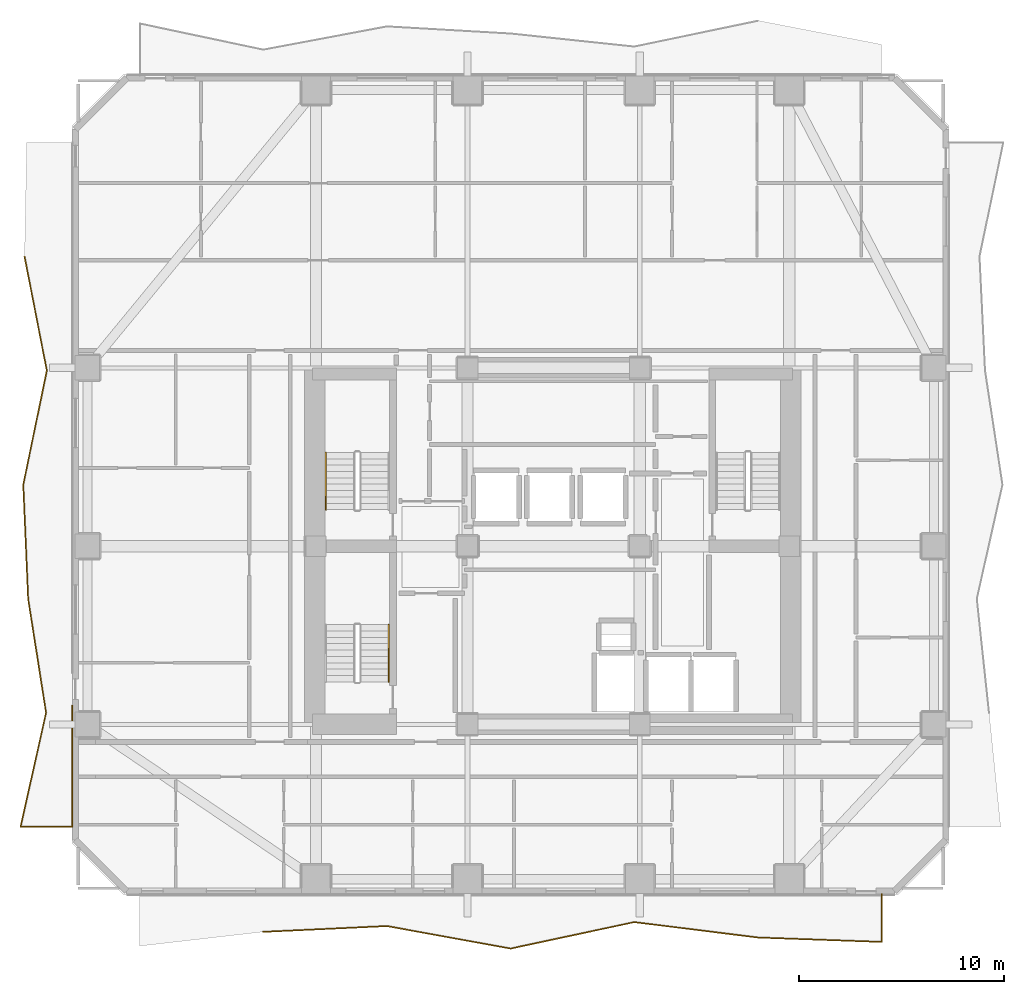
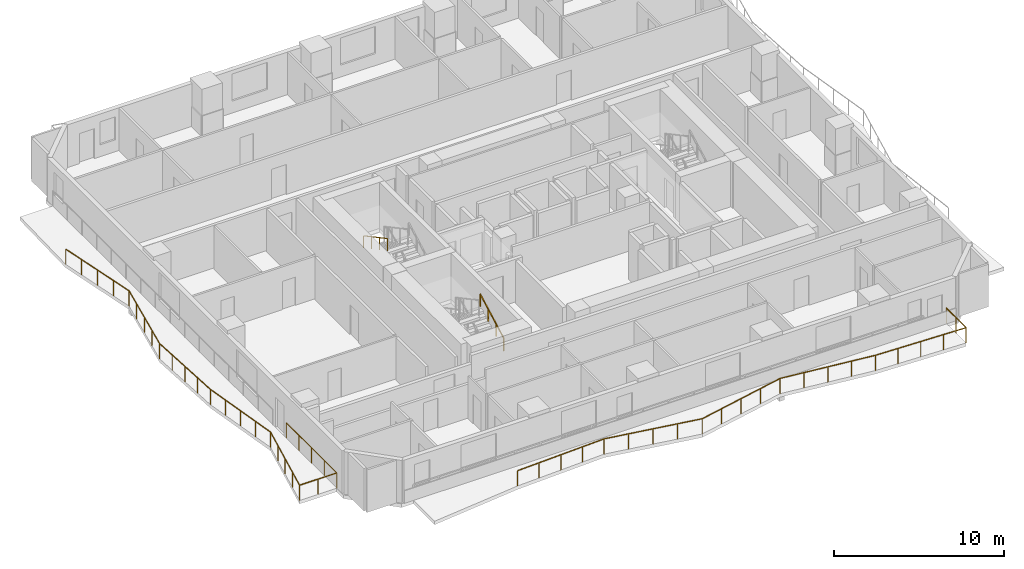
# One storey, part 9 of 12: 4 railings.
"""IFC4 building model written with IfcOpenShell, lengths in metres."""

import ifcopenshell
import ifcopenshell.guid

model = None  # the IFC model being written
_history = None  # IfcOwnerHistory: only IFC2X3 demands one
_inside = {}  # id of a spatial element -> (the spatial element, [elements in it])
_under = {}  # id of a project, library or spatial element -> (it, [spatial elements below it])
_declared = {}  # id of a project -> (the project, [libraries it declares])
_typed = {}  # id of a type object -> (the type object, [elements of that type])
_made_of = {}  # id of a material, layer set ... -> (it, [elements and type objects made of it])


def new_model(schema):
    """Start an empty IFC model of exactly this schema.

    Asked for "IFC4X3", IfcOpenShell would pick the latest addendum, in which some entities
    have other attributes; the version numbers below select the first issue.
    IFC2X3 requires an IfcOwnerHistory on every rooted entity: one is made here for all.
    """
    global model, _history
    if schema == "IFC4X3":
        model = ifcopenshell.file(schema_version=(4, 3, 0, 0))
    else:
        model = ifcopenshell.file(schema=schema)
    _inside.clear()
    _under.clear()
    _declared.clear()
    _typed.clear()
    _made_of.clear()
    _history = None
    if model.schema == "IFC2X3":
        org = make("IfcOrganization", Name="unknown")
        user = make(
            "IfcPersonAndOrganization",
            ThePerson=make("IfcPerson", FamilyName="unknown"),
            TheOrganization=org,
        )
        app = make(
            "IfcApplication",
            ApplicationDeveloper=org,
            Version="unknown",
            ApplicationFullName="unknown",
            ApplicationIdentifier="unknown",
        )
        _history = make(
            "IfcOwnerHistory",
            OwningUser=user,
            OwningApplication=app,
            ChangeAction="ADDED",
            CreationDate=0,
        )
    return model


def make(cls, **values):
    """One entity of the class cls with the attributes given. An attribute that is None is left unset."""
    return model.create_entity(
        cls, **{name: value for name, value in values.items() if value is not None}
    )


def rooted(cls, **values):
    """An entity with a GlobalId (a new one), such as an element, a storey or a relation."""
    return make(cls, GlobalId=ifcopenshell.guid.new(), OwnerHistory=_history, **values)


def si_unit(unit_type, name, prefix=None):
    """IfcSIUnit, for example si_unit("LENGTHUNIT", "METRE", prefix="MILLI")."""
    return make("IfcSIUnit", UnitType=unit_type, Prefix=prefix, Name=name)


def assignment(units):
    """IfcUnitAssignment: the units of a project."""
    return None if units is None else make("IfcUnitAssignment", Units=units)


def point(xyz):
    """IfcCartesianPoint."""
    return None if xyz is None else make("IfcCartesianPoint", Coordinates=xyz)


def direction(xyz):
    """IfcDirection."""
    return None if xyz is None else make("IfcDirection", DirectionRatios=xyz)


def frame(location, z_axis=None, x_axis=None):
    """IfcAxis2Placement3D, a coordinate frame: its origin and axes. An axis left out is left unset."""
    return make(
        "IfcAxis2Placement3D",
        Location=point(location),
        Axis=direction(z_axis),
        RefDirection=direction(x_axis),
    )


def frame_2d(location, x_axis=None):
    """IfcAxis2Placement2D, a coordinate frame in the plane: its origin and x axis."""
    return make(
        "IfcAxis2Placement2D", Location=point(location), RefDirection=direction(x_axis)
    )


def origin():
    """The frame at (0, 0, 0) with its axes left unset."""
    return frame((0.0, 0.0, 0.0))


def origin_2d():
    """The frame at (0, 0) in the plane with its x axis left unset."""
    return frame_2d((0.0, 0.0))


def place(relative_to, where):
    """IfcLocalPlacement: puts the frame where relative to a parent placement (None: the world)."""
    return make(
        "IfcLocalPlacement", PlacementRelTo=relative_to, RelativePlacement=where
    )


def context(
    kind, dimensions, precision=None, world=None, true_north=None, identifier=None
):
    """IfcGeometricRepresentationContext, for example the 3D "Model" context."""
    return make(
        "IfcGeometricRepresentationContext",
        ContextIdentifier=identifier,
        ContextType=kind,
        CoordinateSpaceDimension=dimensions,
        Precision=precision,
        WorldCoordinateSystem=world,
        TrueNorth=true_north,
    )


def subcontext(parent, identifier, kind, view, scale=None):
    """IfcGeometricRepresentationSubContext, for example "Body" below "Model"."""
    return make(
        "IfcGeometricRepresentationSubContext",
        ContextIdentifier=identifier,
        ContextType=kind,
        ParentContext=parent,
        TargetScale=scale,
        TargetView=view,
    )


def project(units=None, contexts=None):
    """IfcProject with its units and contexts."""
    return rooted(
        "IfcProject",
        Name="project",
        RepresentationContexts=contexts,
        UnitsInContext=assignment(units),
    )


def spatial(cls, under=None, at=None, **own):
    """A site, building, storey or space (cls), placed at a placement, below another one or the project."""
    s = rooted(cls, ObjectPlacement=at, **own)
    if under is not None:
        _under.setdefault(under.id(), (under, []))[1].append(s)
    return s


def profile(cls, at=None, kind="AREA", **sizes):
    """A parametric profile (cls). Its sizes go by their IFC names, for example OverallWidth=200.0."""
    return make(cls, ProfileType=kind, Position=at, **sizes)


def rectangle(**sizes):
    """IfcRectangleProfileDef."""
    return profile("IfcRectangleProfileDef", **sizes)


def extrude(swept, where, along, depth):
    """IfcExtrudedAreaSolid: the profile swept, set in the frame where, extruded along a direction by depth."""
    return make(
        "IfcExtrudedAreaSolid",
        SweptArea=swept,
        Position=where,
        ExtrudedDirection=direction(along),
        Depth=depth,
    )


def shape(context_of_items, identifier, shape_type, items):
    """IfcShapeRepresentation: the items that make up one representation, for example the "Body"."""
    return make(
        "IfcShapeRepresentation",
        ContextOfItems=context_of_items,
        RepresentationIdentifier=identifier,
        RepresentationType=shape_type,
        Items=items,
    )


def material(Name=None, Category=None):
    """IfcMaterial."""
    return make("IfcMaterial", Name=Name, Category=Category)


def made_of(thing, what):
    """Note that an element or type object is made of a material, layer set ...; save() writes the relation."""
    if what is not None:
        _made_of.setdefault(what.id(), (what, []))[1].append(thing)
    return thing


def type_object(cls, material=None, **own):
    """A type object (cls), such as IfcWallType, which elements share."""
    return made_of(rooted(cls, **own), material)


def element(
    cls,
    number,
    at=None,
    inside=None,
    cuts=None,
    type_object=None,
    material=None,
    context=None,
    identifier="Body",
    shape_type=None,
    held_by="IfcProductDefinitionShape",
    body=None,
    shapes=None,
    **own,
):
    """One element of the class cls, such as IfcWall. Its Tag is "e" and its number.

    at: its placement. inside: the storey or other place that contains it. cuts: it is an
    opening in that element (IfcRelVoidsElement). A single representation is given by context,
    identifier, shape_type and body (its items); several are given by shapes. held_by: the class
    of the entity that holds the representations. save() writes the other relations.
    """
    e = rooted(cls, Tag="e%d" % number, ObjectPlacement=at, **own)
    if body is not None:
        shapes = [shape(context, identifier, shape_type, body)]
    if shapes is not None:
        e.Representation = make(held_by, Representations=shapes)
    if inside is not None:
        _inside.setdefault(inside.id(), (inside, []))[1].append(e)
    if cuts is not None:
        rooted(
            "IfcRelVoidsElement", RelatingBuildingElement=cuts, RelatedOpeningElement=e
        )
    if type_object is not None:
        _typed.setdefault(type_object.id(), (type_object, []))[1].append(e)
    return made_of(e, material)


def aggregate(whole, parts):
    """IfcRelAggregates: a whole, such as a stair, and the parts it consists of."""
    return rooted("IfcRelAggregates", RelatingObject=whole, RelatedObjects=parts)


def save(model, path):
    """Write the relations noted so far, then the file.

    IfcRelAggregates (storeys below a building ...), IfcRelContainedInSpatialStructure (elements
    in a storey), IfcRelDefinesByType, IfcRelAssociatesMaterial and IfcRelDeclares: one each for
    every whole, place, type object, material and project.
    """
    for whole, parts in _under.values():
        aggregate(whole, parts)
    for where, things in _inside.values():
        rooted(
            "IfcRelContainedInSpatialStructure",
            RelatedElements=things,
            RelatingStructure=where,
        )
    for kind, things in _typed.values():
        rooted("IfcRelDefinesByType", RelatedObjects=things, RelatingType=kind)
    for what, things in _made_of.values():
        rooted("IfcRelAssociatesMaterial", RelatedObjects=things, RelatingMaterial=what)
    for by, libraries in _declared.values():
        rooted("IfcRelDeclares", RelatingContext=by, RelatedDefinitions=libraries)
    model.write(path)


model = new_model("IFC4")

# Units and contexts
model_context = context("Model", 3, precision=1e-05, world=origin(), true_north=direction((0.0, 1.0)))
body_context = subcontext(model_context, "Body", "Model", "MODEL_VIEW")
ifc_project = project(units=[si_unit("LENGTHUNIT", "METRE"), si_unit("AREAUNIT", "SQUARE_METRE"), si_unit("VOLUMEUNIT", "CUBIC_METRE"), si_unit("PLANEANGLEUNIT", "RADIAN"), si_unit("MASSUNIT", "GRAM", prefix="KILO")], contexts=[model_context])

# Site, building, storey
site_placement = place(None, origin())
site = spatial("IfcSite", under=ifc_project, at=site_placement, CompositionType="ELEMENT")
building_placement = place(site_placement, origin())
building = spatial("IfcBuilding", under=site, at=building_placement, Name="Solanera Arch Residences", CompositionType="ELEMENT")
storey_placement = place(building_placement, frame((0.0, 0.0, 96.1201171875)))
storey = spatial("IfcBuildingStorey", under=building, at=storey_placement, Name="L27", CompositionType="ELEMENT", Elevation=96.1201171875)

# Railings
ifc_material_1 = material(Name="Steel S355 (ASTM A992 / A572 Grade 50)", Category="steel")
railing_type_1 = type_object("IfcRailingType", Name="Balustrade Railing BL-1100", PredefinedType="BALUSTRADE", material=ifc_material_1)
railing_1_placement = place(storey_placement, frame((10.8330078125, 11.8798828125, 0.0)))
element("IfcRailing", 1, at=railing_1_placement, inside=storey, type_object=railing_type_1, Name="L27 S Balcony Balustrade 1", PredefinedType="BALUSTRADE", context=body_context, shape_type="SweptSolid", body=[
    extrude(rectangle(XDim=0.048095703125, YDim=0.048095703125, at=origin_2d()), frame((0.0, 0.0, 1.09619140625), z_axis=(0.998907924747, 0.046722134777, 0.0), x_axis=(-0.046722134777, 0.998907924747, 0.0)), (0.0, 0.0, 1.0), 6.04052734375),
    extrude(rectangle(XDim=0.048095703125, YDim=0.048095703125, at=origin_2d()), frame((6.033935546875, 0.2822265625, 1.09619140625), z_axis=(0.983834217539, -0.179081636133, 0.0), x_axis=(0.179081636133, 0.983834217539, 0.0)), (0.0, 0.0, 1.0), 6.132080078125),
    extrude(rectangle(XDim=0.048095703125, YDim=0.048095703125, at=origin_2d()), frame((12.06689453125, -0.81591796875, 1.09619140625), z_axis=(0.977862597837, 0.209248034047, 0.0), x_axis=(-0.209248034047, 0.977862597837, 0.0)), (0.0, 0.0, 1.0), 6.169677734375),
    extrude(rectangle(XDim=0.048095703125, YDim=0.048095703125, at=origin_2d()), frame((18.10009765625, 0.47509765625, 1.09619140625), z_axis=(0.99232413521, -0.123664104246, 0.0), x_axis=(0.123664104246, 0.99232413521, 0.0)), (0.0, 0.0, 1.0), 6.08056640625),
    extrude(rectangle(XDim=0.048095703125, YDim=0.048095703125, at=origin_2d()), frame((24.134033203125, -0.27685546875, 1.09619140625), z_axis=(0.999370814766, -0.03546793754, 0.0), x_axis=(0.03546793754, 0.999370814766, 0.0)), (0.0, 0.0, 1.0), 6.036865234375),
    extrude(rectangle(XDim=0.048095703125, YDim=0.048095703125, at=origin_2d()), frame((30.1669921875, -0.490966796875, 1.09619140625), z_axis=(0.0, 1.0, 0.0), x_axis=(-1.0, 0.0, 0.0)), (0.0, 0.0, 1.0), 2.3310546875),
    extrude(rectangle(XDim=0.0419921875, YDim=0.0419921875, at=origin_2d()), origin(), (0.0, 0.0, 1.0), 1.072021484375),
    extrude(rectangle(XDim=0.0419921875, YDim=0.0419921875, at=origin_2d()), frame((1.508544921875, 0.070556640625, 0.0)), (0.0, 0.0, 1.0), 1.072021484375),
    extrude(rectangle(XDim=0.0419921875, YDim=0.0419921875, at=origin_2d()), frame((3.01708984375, 0.14111328125, 0.0)), (0.0, 0.0, 1.0), 1.072021484375),
    extrude(rectangle(XDim=0.0419921875, YDim=0.0419921875, at=origin_2d()), frame((4.525390625, 0.211669921875, 0.0)), (0.0, 0.0, 1.0), 1.072021484375),
    extrude(rectangle(XDim=0.0419921875, YDim=0.0419921875, at=origin_2d()), frame((6.033935546875, 0.2822265625, 0.0)), (0.0, 0.0, 1.0), 1.072021484375),
    extrude(rectangle(XDim=0.0419921875, YDim=0.0419921875, at=origin_2d()), frame((7.542236328125, 0.0078125, 0.0)), (0.0, 0.0, 1.0), 1.072021484375),
    extrude(rectangle(XDim=0.0419921875, YDim=0.0419921875, at=origin_2d()), frame((9.05029296875, -0.266845703125, 0.0)), (0.0, 0.0, 1.0), 1.072021484375),
    extrude(rectangle(XDim=0.0419921875, YDim=0.0419921875, at=origin_2d()), frame((10.55859375, -0.54150390625, 0.0)), (0.0, 0.0, 1.0), 1.072021484375),
    extrude(rectangle(XDim=0.0419921875, YDim=0.0419921875, at=origin_2d()), frame((12.06689453125, -0.81591796875, 0.0)), (0.0, 0.0, 1.0), 1.072021484375),
    extrude(rectangle(XDim=0.0419921875, YDim=0.0419921875, at=origin_2d()), frame((13.5751953125, -0.4931640625, 0.0)), (0.0, 0.0, 1.0), 1.072021484375),
    extrude(rectangle(XDim=0.0419921875, YDim=0.0419921875, at=origin_2d()), frame((15.08349609375, -0.17041015625, 0.0)), (0.0, 0.0, 1.0), 1.072021484375),
    extrude(rectangle(XDim=0.0419921875, YDim=0.0419921875, at=origin_2d()), frame((16.591796875, 0.15234375, 0.0)), (0.0, 0.0, 1.0), 1.072021484375),
    extrude(rectangle(XDim=0.0419921875, YDim=0.0419921875, at=origin_2d()), frame((18.10009765625, 0.47509765625, 0.0)), (0.0, 0.0, 1.0), 1.072021484375),
    extrude(rectangle(XDim=0.0419921875, YDim=0.0419921875, at=origin_2d()), frame((19.608642578125, 0.287109375, 0.0)), (0.0, 0.0, 1.0), 1.072021484375),
    extrude(rectangle(XDim=0.0419921875, YDim=0.0419921875, at=origin_2d()), frame((21.1171875, 0.09912109375, 0.0)), (0.0, 0.0, 1.0), 1.072021484375),
    extrude(rectangle(XDim=0.0419921875, YDim=0.0419921875, at=origin_2d()), frame((22.62548828125, -0.0888671875, 0.0)), (0.0, 0.0, 1.0), 1.072021484375),
    extrude(rectangle(XDim=0.0419921875, YDim=0.0419921875, at=origin_2d()), frame((24.134033203125, -0.27685546875, 0.0)), (0.0, 0.0, 1.0), 1.072021484375),
    extrude(rectangle(XDim=0.0419921875, YDim=0.0419921875, at=origin_2d()), frame((25.642333984375, -0.330322265625, 0.0)), (0.0, 0.0, 1.0), 1.072021484375),
    extrude(rectangle(XDim=0.0419921875, YDim=0.0419921875, at=origin_2d()), frame((27.150390625, -0.3837890625, 0.0)), (0.0, 0.0, 1.0), 1.072021484375),
    extrude(rectangle(XDim=0.0419921875, YDim=0.0419921875, at=origin_2d()), frame((28.65869140625, -0.4375, 0.0)), (0.0, 0.0, 1.0), 1.072021484375),
    extrude(rectangle(XDim=0.0419921875, YDim=0.0419921875, at=origin_2d()), frame((30.1669921875, -0.490966796875, 0.0)), (0.0, 0.0, 1.0), 1.072021484375),
    extrude(rectangle(XDim=0.0419921875, YDim=0.0419921875, at=origin_2d()), frame((30.1669921875, 0.674560546875, 0.0)), (0.0, 0.0, 1.0), 1.072021484375),
    extrude(rectangle(XDim=0.0419921875, YDim=0.0419921875, at=origin_2d()), frame((30.1669921875, 1.840087890625, 0.0)), (0.0, 0.0, 1.0), 1.072021484375),
])
railing_2_placement = place(storey_placement, frame((-0.819091796875, 44.8330078125, 0.0)))
element("IfcRailing", 2, at=railing_2_placement, inside=storey, type_object=railing_type_1, Name="L27 W Balcony Balustrade 1", PredefinedType="BALUSTRADE", context=body_context, shape_type="SweptSolid", body=[
    extrude(rectangle(XDim=0.048095703125, YDim=0.048095703125, at=origin_2d()), frame((0.0, 0.0, 1.09619140625), z_axis=(0.191867390688, -0.981420859973, 0.0), x_axis=(0.981420859973, 0.191867390688, 0.0)), (0.0, 0.0, 1.0), 5.67138671875),
    extrude(rectangle(XDim=0.048095703125, YDim=0.048095703125, at=origin_2d()), frame((1.088134765625, -5.56591796875, 1.09619140625), z_axis=(-0.202117030155, -0.979361376674, 0.0), x_axis=(0.979361376674, -0.202117030155, 0.0)), (0.0, 0.0, 1.0), 5.6845703125),
    extrude(rectangle(XDim=0.048095703125, YDim=0.048095703125, at=origin_2d()), frame((-0.060791015625, -11.133056640625, 1.09619140625), z_axis=(0.042676634727, -0.999088937407, 0.0), x_axis=(0.999088937407, 0.042676634727, 0.0)), (0.0, 0.0, 1.0), 5.572021484375),
    extrude(rectangle(XDim=0.048095703125, YDim=0.048095703125, at=origin_2d()), frame((0.177001953125, -16.699951171875, 1.09619140625), z_axis=(0.155123659633, -0.987895060329, 0.0), x_axis=(0.987895060329, 0.155123659633, 0.0)), (0.0, 0.0, 1.0), 5.63427734375),
    extrude(rectangle(XDim=0.048095703125, YDim=0.048095703125, at=origin_2d()), frame((1.051025390625, -22.26611328125, 1.09619140625), z_axis=(-0.218393876643, -0.97586070453, 0.0), x_axis=(0.97586070453, -0.218393876643, 0.0)), (0.0, 0.0, 1.0), 5.70458984375),
    extrude(rectangle(XDim=0.048095703125, YDim=0.048095703125, at=origin_2d()), frame((-0.19482421875, -27.8330078125, 1.09619140625), z_axis=(1.0, 0.0, 0.0), x_axis=(0.0, 1.0, 0.0)), (0.0, 0.0, 1.0), 2.533935546875),
    extrude(rectangle(XDim=0.048095703125, YDim=0.048095703125, at=origin_2d()), frame((2.339111328125, -27.8330078125, 1.09619140625), z_axis=(0.0, 1.0, 0.0), x_axis=(-1.0, 0.0, 0.0)), (0.0, 0.0, 1.0), 5.9189453125),
    extrude(rectangle(XDim=0.0419921875, YDim=0.0419921875, at=origin_2d()), origin(), (0.0, 0.0, 1.0), 1.072021484375),
    extrude(rectangle(XDim=0.0419921875, YDim=0.0419921875, at=origin_2d()), frame((0.27197265625, -1.3916015625, 0.0)), (0.0, 0.0, 1.0), 1.072021484375),
    extrude(rectangle(XDim=0.0419921875, YDim=0.0419921875, at=origin_2d()), frame((0.5439453125, -2.782958984375, 0.0)), (0.0, 0.0, 1.0), 1.072021484375),
    extrude(rectangle(XDim=0.0419921875, YDim=0.0419921875, at=origin_2d()), frame((0.816162109375, -4.17431640625, 0.0)), (0.0, 0.0, 1.0), 1.072021484375),
    extrude(rectangle(XDim=0.0419921875, YDim=0.0419921875, at=origin_2d()), frame((1.088134765625, -5.56591796875, 0.0)), (0.0, 0.0, 1.0), 1.072021484375),
    extrude(rectangle(XDim=0.0419921875, YDim=0.0419921875, at=origin_2d()), frame((0.80078125, -6.957763671875, 0.0)), (0.0, 0.0, 1.0), 1.072021484375),
    extrude(rectangle(XDim=0.0419921875, YDim=0.0419921875, at=origin_2d()), frame((0.513671875, -8.349609375, 0.0)), (0.0, 0.0, 1.0), 1.072021484375),
    extrude(rectangle(XDim=0.0419921875, YDim=0.0419921875, at=origin_2d()), frame((0.2265625, -9.7412109375, 0.0)), (0.0, 0.0, 1.0), 1.072021484375),
    extrude(rectangle(XDim=0.0419921875, YDim=0.0419921875, at=origin_2d()), frame((-0.060791015625, -11.133056640625, 0.0)), (0.0, 0.0, 1.0), 1.072021484375),
    extrude(rectangle(XDim=0.0419921875, YDim=0.0419921875, at=origin_2d()), frame((-0.00146484375, -12.52490234375, 0.0)), (0.0, 0.0, 1.0), 1.072021484375),
    extrude(rectangle(XDim=0.0419921875, YDim=0.0419921875, at=origin_2d()), frame((0.05810546875, -13.91650390625, 0.0)), (0.0, 0.0, 1.0), 1.072021484375),
    extrude(rectangle(XDim=0.0419921875, YDim=0.0419921875, at=origin_2d()), frame((0.11767578125, -15.30810546875, 0.0)), (0.0, 0.0, 1.0), 1.072021484375),
    extrude(rectangle(XDim=0.0419921875, YDim=0.0419921875, at=origin_2d()), frame((0.177001953125, -16.699951171875, 0.0)), (0.0, 0.0, 1.0), 1.072021484375),
    extrude(rectangle(XDim=0.0419921875, YDim=0.0419921875, at=origin_2d()), frame((0.3955078125, -18.091552734375, 0.0)), (0.0, 0.0, 1.0), 1.072021484375),
    extrude(rectangle(XDim=0.0419921875, YDim=0.0419921875, at=origin_2d()), frame((0.614013671875, -19.48291015625, 0.0)), (0.0, 0.0, 1.0), 1.072021484375),
    extrude(rectangle(XDim=0.0419921875, YDim=0.0419921875, at=origin_2d()), frame((0.83251953125, -20.87451171875, 0.0)), (0.0, 0.0, 1.0), 1.072021484375),
    extrude(rectangle(XDim=0.0419921875, YDim=0.0419921875, at=origin_2d()), frame((1.051025390625, -22.26611328125, 0.0)), (0.0, 0.0, 1.0), 1.072021484375),
    extrude(rectangle(XDim=0.0419921875, YDim=0.0419921875, at=origin_2d()), frame((0.739501953125, -23.65771484375, 0.0)), (0.0, 0.0, 1.0), 1.072021484375),
    extrude(rectangle(XDim=0.0419921875, YDim=0.0419921875, at=origin_2d()), frame((0.42822265625, -25.049560546875, 0.0)), (0.0, 0.0, 1.0), 1.072021484375),
    extrude(rectangle(XDim=0.0419921875, YDim=0.0419921875, at=origin_2d()), frame((0.11669921875, -26.44140625, 0.0)), (0.0, 0.0, 1.0), 1.072021484375),
    extrude(rectangle(XDim=0.0419921875, YDim=0.0419921875, at=origin_2d()), frame((-0.19482421875, -27.8330078125, 0.0)), (0.0, 0.0, 1.0), 1.072021484375),
    extrude(rectangle(XDim=0.0419921875, YDim=0.0419921875, at=origin_2d()), frame((1.072265625, -27.8330078125, 0.0)), (0.0, 0.0, 1.0), 1.072021484375),
    extrude(rectangle(XDim=0.0419921875, YDim=0.0419921875, at=origin_2d()), frame((2.339111328125, -27.8330078125, 0.0)), (0.0, 0.0, 1.0), 1.072021484375),
    extrude(rectangle(XDim=0.0419921875, YDim=0.0419921875, at=origin_2d()), frame((2.339111328125, -26.353271484375, 0.0)), (0.0, 0.0, 1.0), 1.072021484375),
    extrude(rectangle(XDim=0.0419921875, YDim=0.0419921875, at=origin_2d()), frame((2.339111328125, -24.87353515625, 0.0)), (0.0, 0.0, 1.0), 1.072021484375),
    extrude(rectangle(XDim=0.0419921875, YDim=0.0419921875, at=origin_2d()), frame((2.339111328125, -23.393798828125, 0.0)), (0.0, 0.0, 1.0), 1.072021484375),
    extrude(rectangle(XDim=0.0419921875, YDim=0.0419921875, at=origin_2d()), frame((2.339111328125, -21.9140625, 0.0)), (0.0, 0.0, 1.0), 1.072021484375),
])
ifc_material_2 = material(Name="Steel S355 (ASTM A992 / A572 Grade 50)", Category="steel")
railing_type_2 = type_object("IfcRailingType", Name="Stair Wall Handrail HR-920", PredefinedType="HANDRAIL", material=ifc_material_2)
railing_3_placement = place(storey_placement, frame((13.889892578125, 35.27001953125, 1.825927734375)))
element("IfcRailing", 3, at=railing_3_placement, inside=storey, type_object=railing_type_2, Name="L27 ST-T1 stair handrail 2", PredefinedType="HANDRAIL", context=body_context, shape_type="SweptSolid", body=[
    extrude(rectangle(XDim=0.048095703125, YDim=0.048095703125, at=origin_2d()), frame((0.0, 0.0, 0.8759765625), z_axis=(0.0, -0.881580869306, 0.472033018838), x_axis=(1.0, 0.0, 0.0)), (0.0, 0.0, 1.0), 3.164794921875),
    extrude(rectangle(XDim=0.0419921875, YDim=0.0419921875, at=origin_2d()), origin(), (0.0, 0.0, 1.0), 0.851806640625),
    extrude(rectangle(XDim=0.0419921875, YDim=0.0419921875, at=origin_2d()), frame((0.0, -0.929931640625, 0.498046875)), (0.0, 0.0, 1.0), 0.851806640625),
    extrude(rectangle(XDim=0.0419921875, YDim=0.0419921875, at=origin_2d()), frame((0.0, -1.860107421875, 0.995849609375)), (0.0, 0.0, 1.0), 0.851806640625),
    extrude(rectangle(XDim=0.0419921875, YDim=0.0419921875, at=origin_2d()), frame((0.0, -2.7900390625, 1.493896484375)), (0.0, 0.0, 1.0), 0.851806640625),
])
railing_4_placement = place(storey_placement, frame((16.949951171875, 24.080078125, 0.165771484375)))
element("IfcRailing", 4, at=railing_4_placement, inside=storey, type_object=railing_type_2, Name="L27 ST-T3 stair handrail 1", PredefinedType="HANDRAIL", context=body_context, shape_type="SweptSolid", body=[
    extrude(rectangle(XDim=0.048095703125, YDim=0.048095703125, at=origin_2d()), frame((0.0, 0.0, 0.8759765625), z_axis=(0.0, 0.881548766853, 0.472092969298), x_axis=(-1.0, 0.0, 0.0)), (0.0, 0.0, 1.0), 3.1650390625),
    extrude(rectangle(XDim=0.0419921875, YDim=0.0419921875, at=origin_2d()), origin(), (0.0, 0.0, 1.0), 0.851806640625),
    extrude(rectangle(XDim=0.0419921875, YDim=0.0419921875, at=origin_2d()), frame((0.0, 0.929931640625, 0.498046875)), (0.0, 0.0, 1.0), 0.851806640625),
    extrude(rectangle(XDim=0.0419921875, YDim=0.0419921875, at=origin_2d()), frame((0.0, 1.860107421875, 0.99609375)), (0.0, 0.0, 1.0), 0.851806640625),
    extrude(rectangle(XDim=0.0419921875, YDim=0.0419921875, at=origin_2d()), frame((0.0, 2.7900390625, 1.494140625)), (0.0, 0.0, 1.0), 0.851806640625),
])

save(model, "model.ifc")
